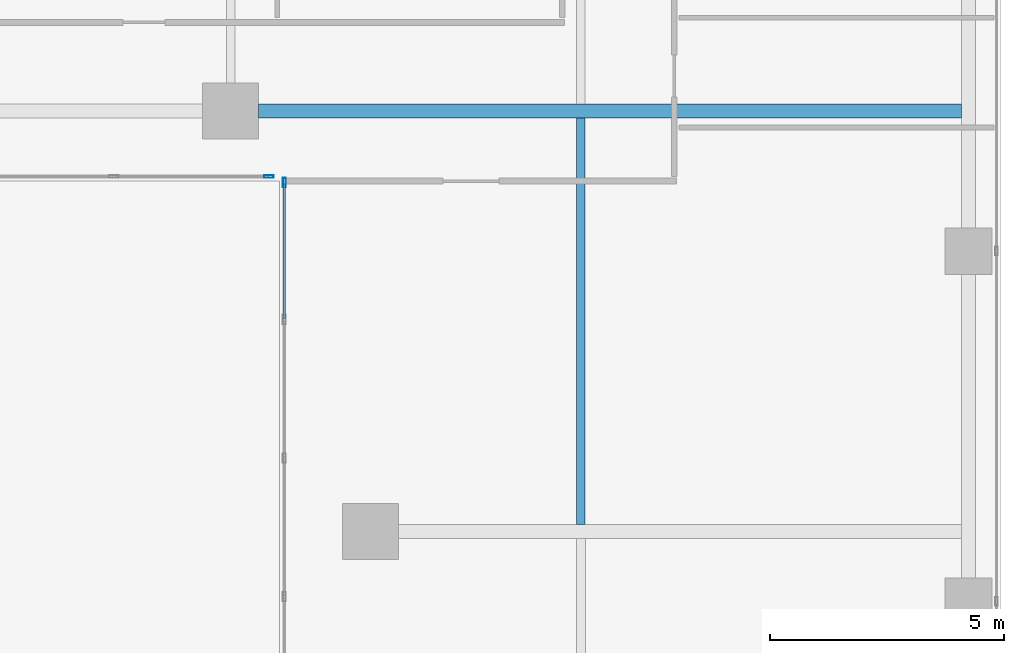
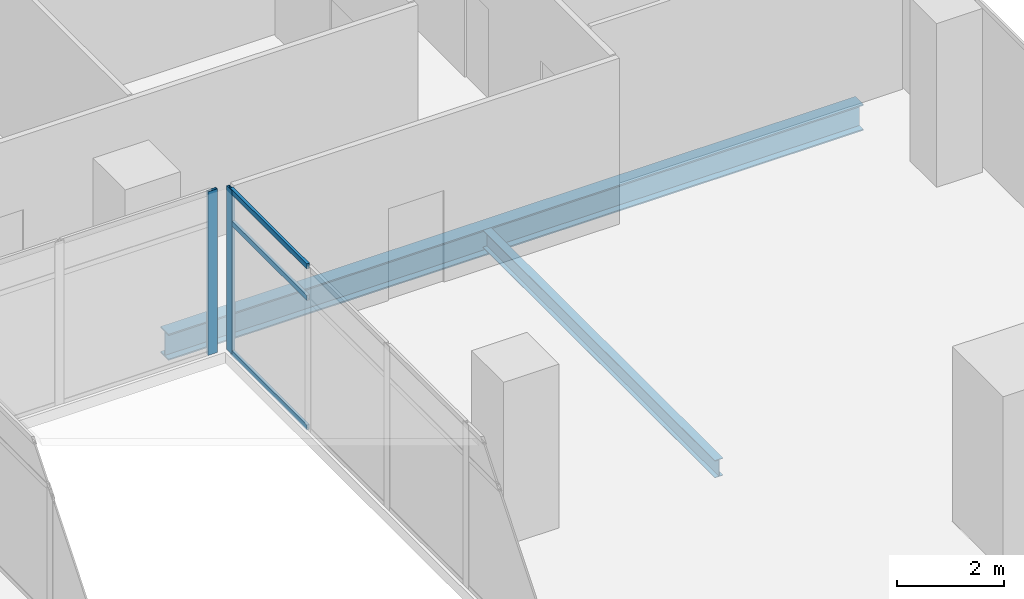
# One storey, part 14 of 40: 5 members, 2 beams, 2 elements without a shape of their own.
"""IFC4 building model written with IfcOpenShell, lengths in metres."""

from ifc_helpers import new_model, si_unit, direction, frame, origin, origin_2d, place, context, subcontext, project, spatial, hollow_rectangle, i_section, extrude, source, transform, mapped, material, material_profile, profile_set, type_object, element, aggregate, save


model = new_model("IFC4")

# Units and contexts
model_context = context("Model", 3, precision=1e-05, world=origin(), true_north=direction((0.0, 1.0)))
body_context = subcontext(model_context, "Body", "Model", "MODEL_VIEW")
ifc_project = project(units=[si_unit("LENGTHUNIT", "METRE"), si_unit("AREAUNIT", "SQUARE_METRE"), si_unit("VOLUMEUNIT", "CUBIC_METRE"), si_unit("PLANEANGLEUNIT", "RADIAN"), si_unit("MASSUNIT", "GRAM", prefix="KILO")], contexts=[model_context])

# Site, building, storey
site_placement = place(None, origin())
site = spatial("IfcSite", under=ifc_project, at=site_placement, CompositionType="ELEMENT")
building_placement = place(site_placement, origin())
building = spatial("IfcBuilding", under=site, at=building_placement, Name="Khomas Fold Tower", CompositionType="ELEMENT")
storey_placement = place(building_placement, frame((0.0, 0.0, 184.699951171875)))
storey = spatial("IfcBuildingStorey", under=building, at=storey_placement, Name="L40", CompositionType="ELEMENT", Elevation=184.699951171875)

# Beams
ifc_material_1 = material(Name="Steel S355", Category="steel")
ifc_material_profile_1 = material_profile(ifc_material_1, i_section(OverallWidth=0.179931640625, OverallDepth=0.39990234375, WebThickness=0.008544921875, FlangeThickness=0.013427734375, at=origin_2d()), Name="IPE 400")
ifc_profile_set_1 = profile_set([ifc_material_profile_1], Name="Steel S355")
beam_type_1 = type_object("IfcBeamType", Name="IPE 400 beam JB3", PredefinedType="BEAM", material=ifc_profile_set_1)
shared_shape_1 = source(origin(), body_context, "Body", "SweptSolid", [
    extrude(i_section(OverallWidth=0.179931640625, OverallDepth=0.39990234375, WebThickness=0.008544921875, FlangeThickness=0.013427734375, at=origin_2d()), origin(), (0.0, 0.0, 1.0), 8.7001953125),
])
beam_1_placement = place(storey_placement, frame((42.0, 13.64990234375, -0.449951171875), z_axis=(0.0, 1.0, 0.0), x_axis=(-1.0, 0.0, 0.0)))
element("IfcBeam", 1, at=beam_1_placement, inside=storey, type_object=beam_type_1, Name="JB3", PredefinedType="BEAM", context=body_context, shape_type="MappedRepresentation", body=[
    mapped(shared_shape_1, transform((0.0, 0.0, 0.0))),
])
ifc_material_2 = material(Name="Steel S355", Category="steel")
ifc_material_profile_2 = material_profile(ifc_material_2, i_section(OverallWidth=0.300048828125, OverallDepth=0.60009765625, WebThickness=0.015380859375, FlangeThickness=0.030029296875, at=origin_2d()), Name="HE 600 B")
ifc_profile_set_2 = profile_set([ifc_material_profile_2], Name="Steel S355")
beam_type_2 = type_object("IfcBeamType", Name="HE 600 B beam GB5", PredefinedType="BEAM", material=ifc_profile_set_2)
shared_shape_2 = source(origin(), body_context, "Body", "SweptSolid", [
    extrude(i_section(OverallWidth=0.300048828125, OverallDepth=0.60009765625, WebThickness=0.015380859375, FlangeThickness=0.030029296875, at=origin_2d()), origin(), (0.0, 0.0, 1.0), 15.0498046875),
])
beam_2_placement = place(storey_placement, frame((35.10009765625, 22.5, -0.550048828125), z_axis=(1.0, 0.0, 0.0), x_axis=(0.0, 1.0, 0.0)))
element("IfcBeam", 2, at=beam_2_placement, inside=storey, type_object=beam_type_2, Name="GB5", PredefinedType="BEAM", context=body_context, shape_type="MappedRepresentation", body=[
    mapped(shared_shape_2, transform((0.0, 0.0, 0.0))),
])

# Curtain wall, members
ifc_material_3 = material(Name="Aluminium framed double glazing", Category="aluminium")
curtain_wall_type = type_object("IfcCurtainWallType", Name="Notch glazing GN-CW", PredefinedType="NOTDEFINED", material=ifc_material_3)
curtain_wall_1_placement = place(storey_placement, origin())
curtain_wall_1 = element("IfcCurtainWall", 3, at=curtain_wall_1_placement, inside=storey, type_object=curtain_wall_type, Name="Notch glazing run", PredefinedType="NOTDEFINED")
ifc_material_4 = material(Name="Aluminium", Category="aluminium")
ifc_material_profile_3 = material_profile(ifc_material_4, hollow_rectangle(XDim=0.06005859375, YDim=0.1201171875, WallThickness=0.00390625, at=origin_2d()), Name="Notch glazing transom GN-CW-T")
ifc_profile_set_3 = profile_set([ifc_material_profile_3], Name="Aluminium")
member_type_1 = type_object("IfcMemberType", Name="Notch glazing transom GN-CW-T", PredefinedType="USERDEFINED", material=ifc_profile_set_3)
shared_shape_3 = source(origin(), body_context, "Body", "SweptSolid", [
    extrude(hollow_rectangle(XDim=0.06005859375, YDim=0.1201171875, WallThickness=0.00390625, at=origin_2d()), origin(), (0.0, 0.0, 1.0), 2.876708984375),
])
member_1_placement = place(storey_placement, frame((35.64990234375, 20.93994140625, 0.030029296875), z_axis=(0.0, -1.0, 0.0), x_axis=(1.0, 0.0, 0.0)))
member_1 = element("IfcMember", 4, at=member_1_placement, type_object=member_type_1, Name="GN-CW transom 1.1", ObjectType="TRANSOM", PredefinedType="USERDEFINED", context=body_context, shape_type="MappedRepresentation", body=[
    mapped(shared_shape_3, transform((0.0, 0.0, 0.0))),
])
member_2_placement = place(storey_placement, frame((35.64990234375, 20.93994140625, 3.0), z_axis=(0.0, -1.0, 0.0), x_axis=(1.0, 0.0, 0.0)))
member_2 = element("IfcMember", 5, at=member_2_placement, type_object=member_type_1, Name="GN-CW transom 1.2", ObjectType="TRANSOM", PredefinedType="USERDEFINED", context=body_context, shape_type="MappedRepresentation", body=[
    mapped(shared_shape_3, transform((0.0, 0.0, 0.0))),
])
member_3_placement = place(storey_placement, frame((35.64990234375, 20.93994140625, 3.719970703125), z_axis=(0.0, -1.0, 0.0), x_axis=(1.0, 0.0, 0.0)))
member_3 = element("IfcMember", 6, at=member_3_placement, type_object=member_type_1, Name="GN-CW transom 1.3", ObjectType="TRANSOM", PredefinedType="USERDEFINED", context=body_context, shape_type="MappedRepresentation", body=[
    mapped(shared_shape_3, transform((0.0, 0.0, 0.0))),
])

# Curtain wall, member
curtain_wall_2_placement = place(storey_placement, origin())
curtain_wall_2 = element("IfcCurtainWall", 7, at=curtain_wall_2_placement, inside=storey, type_object=curtain_wall_type, Name="Notch glazing run", PredefinedType="NOTDEFINED")
ifc_material_5 = material(Name="Aluminium", Category="aluminium")
ifc_material_profile_4 = material_profile(ifc_material_5, hollow_rectangle(XDim=0.06005859375, YDim=0.199951171875, WallThickness=0.00390625, at=origin_2d()), Name="Notch glazing mullion GN-CW-M")
ifc_profile_set_4 = profile_set([ifc_material_profile_4], Name="Aluminium")
member_type_2 = type_object("IfcMemberType", Name="Notch glazing mullion GN-CW-M", PredefinedType="MULLION", material=ifc_profile_set_4)
shared_shape_4 = source(origin(), body_context, "Body", "SweptSolid", [
    extrude(hollow_rectangle(XDim=0.06005859375, YDim=0.199951171875, WallThickness=0.00390625, at=origin_2d()), origin(), (0.0, 0.0, 1.0), 3.75),
])
member_4_placement = place(storey_placement, frame((35.320068359375, 21.10009765625, 0.0), z_axis=(0.0, 0.0, 1.0), x_axis=(0.0, 1.0, 0.0)))
member_4 = element("IfcMember", 8, at=member_4_placement, type_object=member_type_2, Name="GN-CW mullion 3", PredefinedType="MULLION", context=body_context, shape_type="MappedRepresentation", body=[
    mapped(shared_shape_4, transform((0.0, 0.0, 0.0))),
])
aggregate(curtain_wall_2, [member_4])

# Member
member_5_placement = place(storey_placement, frame((35.64990234375, 20.969970703125, 0.0), z_axis=(0.0, 0.0, 1.0), x_axis=(1.0, 0.0, 0.0)))
member_5 = element("IfcMember", 9, at=member_5_placement, type_object=member_type_2, Name="GN-CW mullion 1", PredefinedType="MULLION", context=body_context, shape_type="MappedRepresentation", body=[
    mapped(shared_shape_4, transform((0.0, 0.0, 0.0))),
])

aggregate(curtain_wall_1, [member_5, member_1, member_2, member_3])

save(model, "model.ifc")
